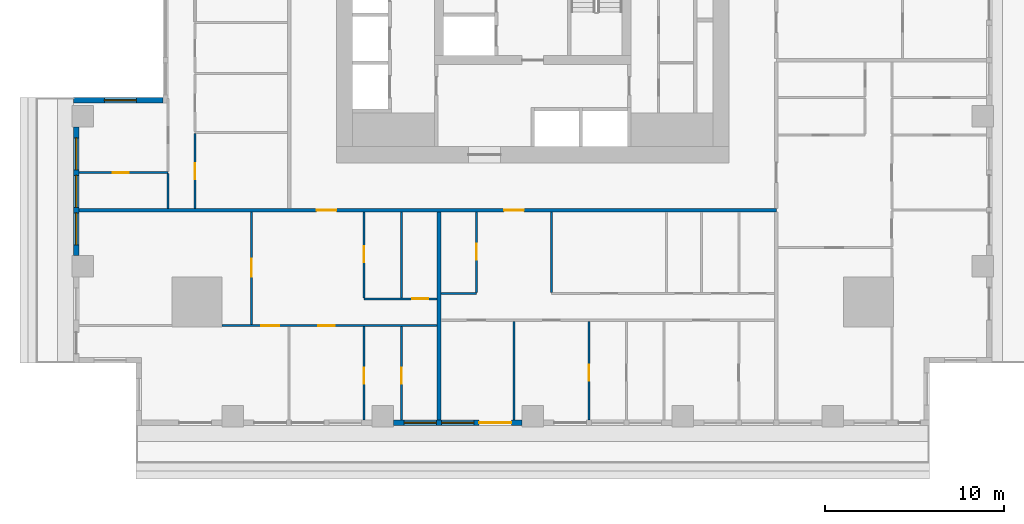
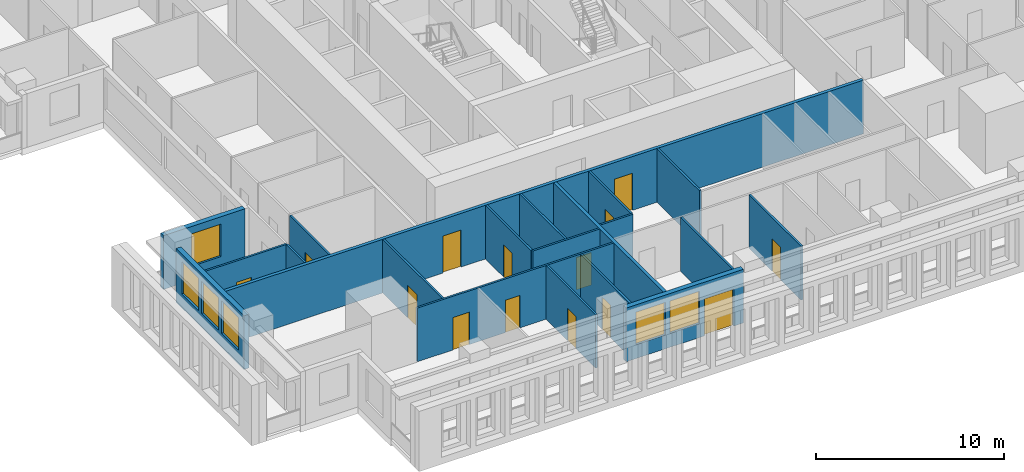
# One storey, part 2 of 15: 20 walls, 14 doors, 6 windows, 20 openings.
"""IFC4 building model written with IfcOpenShell, lengths in metres."""

from ifc_helpers import new_model, si_unit, direction, frame, frame_2d, origin, place, context, subcontext, project, spatial, rectangle, extrude, material, layer, layer_set, type_object, element, fill, save


model = new_model("IFC4")

# Units and contexts
model_context = context("Model", 3, precision=1e-05, world=origin(), true_north=direction((0.0, 1.0)))
body_context = subcontext(model_context, "Body", "Model", "MODEL_VIEW")
ifc_project = project(units=[si_unit("LENGTHUNIT", "METRE"), si_unit("AREAUNIT", "SQUARE_METRE"), si_unit("VOLUMEUNIT", "CUBIC_METRE"), si_unit("PLANEANGLEUNIT", "RADIAN"), si_unit("MASSUNIT", "GRAM", prefix="KILO")], contexts=[model_context])

# Site, building, storey
site_placement = place(None, origin())
site = spatial("IfcSite", under=ifc_project, at=site_placement, CompositionType="ELEMENT")
building_placement = place(site_placement, origin())
building = spatial("IfcBuilding", under=site, at=building_placement, Name="Khepri Terraces", CompositionType="ELEMENT")
storey_placement = place(building_placement, frame((0.0, 0.0, 98.699951171875)))
storey = spatial("IfcBuildingStorey", under=building, at=storey_placement, Name="L23", CompositionType="ELEMENT", Elevation=98.699951171875)

# Wall
ifc_material_1 = material(Name="Fire-rated gypsum plasterboard partition, mineral wool")
ifc_layer_1 = layer(ifc_material_1, 0.199951171875, Name="Fire-rated gypsum plasterboard partition, mineral wool")
ifc_layer_set_1 = layer_set([ifc_layer_1], Name="Fire-rated gypsum plasterboard partition, mineral wool")
wall_type_1 = type_object("IfcWallType", Name="WL-CORR-200", PredefinedType="PARTITIONING", material=ifc_layer_set_1)
wall_1_placement = place(storey_placement, frame((-5.25, -25.419921875, 0.0), z_axis=(0.0, 0.0, 1.0), x_axis=(0.0, 1.0, 0.0)))
element("IfcWall", 1, at=wall_1_placement, inside=storey, type_object=wall_type_1, Name="Partition P-004 L23", PredefinedType="PARTITIONING", context=body_context, shape_type="SweptSolid", body=[
    extrude(rectangle(XDim=11.669921875, YDim=0.199951171875, at=frame_2d((5.8349609375, 0.0))), origin(), (0.0, 0.0, 1.0), 3.47998046875),
])

# Wall, openings, doors
wall_2_placement = place(storey_placement, frame((-25.419921875, -13.64990234375, 0.0), z_axis=(0.0, 0.0, 1.0), x_axis=(1.0, 0.0, 0.0)))
wall_2 = element("IfcWall", 2, at=wall_2_placement, inside=storey, type_object=wall_type_1, Name="Partition P-029 L23", PredefinedType="PARTITIONING", context=body_context, shape_type="SweptSolid", body=[
    extrude(rectangle(XDim=39.06982421875, YDim=0.199951171875, at=frame_2d((19.534912109375, 0.0))), origin(), (0.0, 0.0, 1.0), 3.47998046875),
])
opening_1_placement = place(wall_2_placement, frame((13.320068359375, 0.0, 0.0)))
opening_1 = element("IfcOpeningElement", 3, at=opening_1_placement, cuts=wall_2, Name="Opening D1", PredefinedType="OPENING", context=body_context, shape_type="SweptSolid", body=[
    extrude(rectangle(XDim=1.10009765625, YDim=2.39990234375, at=frame_2d((0.550048828125, 1.199951171875))), frame((0.0, 0.10986328125, 0.0), z_axis=(0.0, -1.0, 0.0), x_axis=(1.0, 0.0, 0.0)), (0.0, 0.0, 1.0), 0.219970703125),
])
opening_2_placement = place(wall_2_placement, frame((23.820068359375, 0.0, 0.0)))
opening_2 = element("IfcOpeningElement", 4, at=opening_2_placement, cuts=wall_2, Name="Opening D1", PredefinedType="OPENING", context=body_context, shape_type="SweptSolid", body=[
    extrude(rectangle(XDim=1.10009765625, YDim=2.39990234375, at=frame_2d((0.550048828125, 1.199951171875))), frame((0.0, 0.10986328125, 0.0), z_axis=(0.0, -1.0, 0.0), x_axis=(1.0, 0.0, 0.0)), (0.0, 0.0, 1.0), 0.219970703125),
])
ifc_material_2 = material(Name="Solid-core timber door leaf, flat entrance door", Category="wood")
door_type_1 = type_object("IfcDoorType", Name="DR-ENT-1100", OperationType="NOTDEFINED", PredefinedType="DOOR", material=ifc_material_2)
door_1_placement = place(opening_1_placement, frame((1.10009765625, 0.0, 0.0), z_axis=(0.0, 0.0, 1.0), x_axis=(-1.0, 0.0, 0.0)))
door_1 = element("IfcDoor", 5, at=door_1_placement, inside=storey, type_object=door_type_1, Name="Flat A1 entrance door", OperationType="SINGLE_SWING_RIGHT", OverallHeight=2.39990234375, OverallWidth=1.10009765625, PredefinedType="DOOR", context=body_context, shape_type="SweptSolid", body=[
    extrude(rectangle(XDim=1.10009765625, YDim=2.39990234375, at=frame_2d((0.550048828125, 1.199951171875))), frame((0.0, 0.02490234375, 0.0), z_axis=(0.0, -1.0, 0.0), x_axis=(1.0, 0.0, 0.0)), (0.0, 0.0, 1.0), 0.050048828125),
])
fill(opening_1, door_1)
door_2_placement = place(opening_2_placement, frame((1.10009765625, 0.0, 0.0), z_axis=(0.0, 0.0, 1.0), x_axis=(-1.0, 0.0, 0.0)))
door_2 = element("IfcDoor", 6, at=door_2_placement, inside=storey, type_object=door_type_1, Name="Flat A2 entrance door", OperationType="SINGLE_SWING_LEFT", OverallHeight=2.39990234375, OverallWidth=1.10009765625, PredefinedType="DOOR", context=body_context, shape_type="SweptSolid", body=[
    extrude(rectangle(XDim=1.10009765625, YDim=2.39990234375, at=frame_2d((0.550048828125, 1.199951171875))), frame((0.0, 0.02490234375, 0.0), z_axis=(0.0, -1.0, 0.0), x_axis=(1.0, 0.0, 0.0)), (0.0, 0.0, 1.0), 0.050048828125),
])
fill(opening_2, door_2)

# Wall, opening, window
ifc_material_3 = material(Name="Precast concrete C50/60 warm stone", Category="masonry")
ifc_layer_2 = layer(ifc_material_3, 0.300048828125, Name="Precast concrete C50/60 warm stone", Category="masonry")
ifc_layer_set_2 = layer_set([ifc_layer_2], Name="Precast concrete C50/60 warm stone")
wall_type_2 = type_object("IfcWallType", Name="WL-EXT-PRECAST-300", PredefinedType="STANDARD", material=ifc_layer_set_2)
wall_3_placement = place(storey_placement, frame((-20.719970703125, -7.5, 0.0), z_axis=(0.0, 0.0, 1.0), x_axis=(-1.0, 0.0, 0.0)))
wall_3 = element("IfcWall", 7, at=wall_3_placement, inside=storey, type_object=wall_type_2, Name="External wall L23 N", PredefinedType="STANDARD", context=body_context, shape_type="SweptSolid", body=[
    extrude(rectangle(XDim=5.0, YDim=0.300048828125, at=frame_2d((2.5, 0.0))), origin(), (0.0, 0.0, 1.0), 3.47998046875),
])
opening_3_placement = place(wall_3_placement, frame((1.47998046875, 0.0, 0.89990234375)))
opening_3 = element("IfcOpeningElement", 8, at=opening_3_placement, cuts=wall_3, Name="Opening W1", PredefinedType="OPENING", context=body_context, shape_type="SweptSolid", body=[
    extrude(rectangle(XDim=1.800048828125, YDim=2.10009765625, at=frame_2d((0.89990234375, 1.050048828125))), frame((0.0, 0.16015625, 0.0), z_axis=(0.0, -1.0, 0.0), x_axis=(1.0, 0.0, 0.0)), (0.0, 0.0, 1.0), 0.320068359375),
])
ifc_material_4 = material(Name="Clear glass", Category="glass")
window_type = type_object("IfcWindowType", Name="WIN-RES-1800x2100", PartitioningType="SINGLE_PANEL", PredefinedType="WINDOW", material=ifc_material_4)
window_1_placement = place(opening_3_placement, origin())
window_1 = element("IfcWindow", 9, at=window_1_placement, inside=storey, type_object=window_type, Name="Window L23 N", OverallHeight=2.10009765625, OverallWidth=1.800048828125, PartitioningType="SINGLE_PANEL", PredefinedType="WINDOW", context=body_context, shape_type="SweptSolid", body=[
    extrude(rectangle(XDim=1.800048828125, YDim=2.10009765625, at=frame_2d((0.89990234375, 1.050048828125))), frame((0.0, 0.030029296875, 0.0), z_axis=(0.0, -1.0, 0.0), x_axis=(1.0, 0.0, 0.0)), (0.0, 0.0, 1.0), 0.06005859375),
])
fill(opening_3, window_1)

# Wall, openings, windows
wall_4_placement = place(storey_placement, frame((-25.570068359375, -9.0, 0.0), z_axis=(0.0, 0.0, 1.0), x_axis=(0.0, -1.0, 0.0)))
wall_4 = element("IfcWall", 10, at=wall_4_placement, inside=storey, type_object=wall_type_2, Name="External wall L23 W", PredefinedType="STANDARD", context=body_context, shape_type="SweptSolid", body=[
    extrude(rectangle(XDim=7.199951171875, YDim=0.300048828125, at=frame_2d((3.60009765625, 0.0))), origin(), (0.0, 0.0, 1.0), 3.47998046875),
])
opening_4_placement = place(wall_4_placement, frame((0.60009765625, 0.0, 0.89990234375)))
opening_4 = element("IfcOpeningElement", 11, at=opening_4_placement, cuts=wall_4, Name="Opening W1", PredefinedType="OPENING", context=body_context, shape_type="SweptSolid", body=[
    extrude(rectangle(XDim=1.800048828125, YDim=2.10009765625, at=frame_2d((0.89990234375, 1.050048828125))), frame((0.0, 0.16015625, 0.0), z_axis=(0.0, -1.0, 0.0), x_axis=(1.0, 0.0, 0.0)), (0.0, 0.0, 1.0), 0.320068359375),
])
opening_5_placement = place(wall_4_placement, frame((2.699951171875, 0.0, 0.89990234375)))
opening_5 = element("IfcOpeningElement", 12, at=opening_5_placement, cuts=wall_4, Name="Opening W1", PredefinedType="OPENING", context=body_context, shape_type="SweptSolid", body=[
    extrude(rectangle(XDim=1.800048828125, YDim=2.10009765625, at=frame_2d((0.89990234375, 1.050048828125))), frame((0.0, 0.16015625, 0.0), z_axis=(0.0, -1.0, 0.0), x_axis=(1.0, 0.0, 0.0)), (0.0, 0.0, 1.0), 0.320068359375),
])
opening_6_placement = place(wall_4_placement, frame((4.800048828125, 0.0, 0.89990234375)))
opening_6 = element("IfcOpeningElement", 13, at=opening_6_placement, cuts=wall_4, Name="Opening W1", PredefinedType="OPENING", context=body_context, shape_type="SweptSolid", body=[
    extrude(rectangle(XDim=1.800048828125, YDim=2.10009765625, at=frame_2d((0.89990234375, 1.050048828125))), frame((0.0, 0.16015625, 0.0), z_axis=(0.0, -1.0, 0.0), x_axis=(1.0, 0.0, 0.0)), (0.0, 0.0, 1.0), 0.320068359375),
])
window_2_placement = place(opening_4_placement, origin())
window_2 = element("IfcWindow", 14, at=window_2_placement, inside=storey, type_object=window_type, Name="Window L23 W", OverallHeight=2.10009765625, OverallWidth=1.800048828125, PartitioningType="SINGLE_PANEL", PredefinedType="WINDOW", context=body_context, shape_type="SweptSolid", body=[
    extrude(rectangle(XDim=1.800048828125, YDim=2.10009765625, at=frame_2d((0.89990234375, 1.050048828125))), frame((0.0, 0.030029296875, 0.0), z_axis=(0.0, -1.0, 0.0), x_axis=(1.0, 0.0, 0.0)), (0.0, 0.0, 1.0), 0.06005859375),
])
fill(opening_4, window_2)
window_3_placement = place(opening_5_placement, origin())
window_3 = element("IfcWindow", 15, at=window_3_placement, inside=storey, type_object=window_type, Name="Window L23 W", OverallHeight=2.10009765625, OverallWidth=1.800048828125, PartitioningType="SINGLE_PANEL", PredefinedType="WINDOW", context=body_context, shape_type="SweptSolid", body=[
    extrude(rectangle(XDim=1.800048828125, YDim=2.10009765625, at=frame_2d((0.89990234375, 1.050048828125))), frame((0.0, 0.030029296875, 0.0), z_axis=(0.0, -1.0, 0.0), x_axis=(1.0, 0.0, 0.0)), (0.0, 0.0, 1.0), 0.06005859375),
])
fill(opening_5, window_3)
window_4_placement = place(opening_6_placement, origin())
window_4 = element("IfcWindow", 16, at=window_4_placement, inside=storey, type_object=window_type, Name="Window L23 W", OverallHeight=2.10009765625, OverallWidth=1.800048828125, PartitioningType="SINGLE_PANEL", PredefinedType="WINDOW", context=body_context, shape_type="SweptSolid", body=[
    extrude(rectangle(XDim=1.800048828125, YDim=2.10009765625, at=frame_2d((0.89990234375, 1.050048828125))), frame((0.0, 0.030029296875, 0.0), z_axis=(0.0, -1.0, 0.0), x_axis=(1.0, 0.0, 0.0)), (0.0, 0.0, 1.0), 0.06005859375),
])
fill(opening_6, window_4)

# Wall, openings, door, windows
wall_5_placement = place(storey_placement, frame((-7.800048828125, -25.570068359375, 0.0), z_axis=(0.0, 0.0, 1.0), x_axis=(1.0, 0.0, 0.0)))
wall_5 = element("IfcWall", 17, at=wall_5_placement, inside=storey, type_object=wall_type_2, Name="External wall L23 S", PredefinedType="STANDARD", context=body_context, shape_type="SweptSolid", body=[
    extrude(rectangle(XDim=7.199951171875, YDim=0.300048828125, at=frame_2d((3.60009765625, 0.0))), origin(), (0.0, 0.0, 1.0), 3.47998046875),
])
opening_7_placement = place(wall_5_placement, frame((0.60009765625, 0.0, 0.89990234375)))
opening_7 = element("IfcOpeningElement", 18, at=opening_7_placement, cuts=wall_5, Name="Opening W1", PredefinedType="OPENING", context=body_context, shape_type="SweptSolid", body=[
    extrude(rectangle(XDim=1.800048828125, YDim=2.10009765625, at=frame_2d((0.89990234375, 1.050048828125))), frame((0.0, 0.16015625, 0.0), z_axis=(0.0, -1.0, 0.0), x_axis=(1.0, 0.0, 0.0)), (0.0, 0.0, 1.0), 0.320068359375),
])
opening_8_placement = place(wall_5_placement, frame((2.699951171875, 0.0, 0.89990234375)))
opening_8 = element("IfcOpeningElement", 19, at=opening_8_placement, cuts=wall_5, Name="Opening W1", PredefinedType="OPENING", context=body_context, shape_type="SweptSolid", body=[
    extrude(rectangle(XDim=1.800048828125, YDim=2.10009765625, at=frame_2d((0.89990234375, 1.050048828125))), frame((0.0, 0.16015625, 0.0), z_axis=(0.0, -1.0, 0.0), x_axis=(1.0, 0.0, 0.0)), (0.0, 0.0, 1.0), 0.320068359375),
])
opening_9_placement = place(wall_5_placement, frame((4.800048828125, 0.0, 0.0)))
opening_9 = element("IfcOpeningElement", 20, at=opening_9_placement, cuts=wall_5, Name="Opening ED-L23-20", PredefinedType="OPENING", context=body_context, shape_type="SweptSolid", body=[
    extrude(rectangle(XDim=1.800048828125, YDim=2.39990234375, at=frame_2d((0.89990234375, 1.199951171875))), frame((0.0, 0.16015625, 0.0), z_axis=(0.0, -1.0, 0.0), x_axis=(1.0, 0.0, 0.0)), (0.0, 0.0, 1.0), 0.320068359375),
])
ifc_material_5 = material(Name="Anodised aluminium bronze glazed door", Category="aluminium")
door_type_2 = type_object("IfcDoorType", Name="DR-BAL-SLIDE-1800x2400", OperationType="NOTDEFINED", PredefinedType="DOOR", material=ifc_material_5)
door_3_placement = place(opening_9_placement, origin())
door_3 = element("IfcDoor", 21, at=door_3_placement, inside=storey, type_object=door_type_2, Name="Balcony door L23 S", OperationType="SLIDING_TO_RIGHT", OverallHeight=2.39990234375, OverallWidth=1.800048828125, PredefinedType="DOOR", context=body_context, shape_type="SweptSolid", body=[
    extrude(rectangle(XDim=1.800048828125, YDim=2.39990234375, at=frame_2d((0.89990234375, 1.199951171875))), frame((0.0, 0.02490234375, 0.0), z_axis=(0.0, -1.0, 0.0), x_axis=(1.0, 0.0, 0.0)), (0.0, 0.0, 1.0), 0.050048828125),
])
fill(opening_9, door_3)
window_5_placement = place(opening_7_placement, origin())
window_5 = element("IfcWindow", 22, at=window_5_placement, inside=storey, type_object=window_type, Name="Window L23 S", OverallHeight=2.10009765625, OverallWidth=1.800048828125, PartitioningType="SINGLE_PANEL", PredefinedType="WINDOW", context=body_context, shape_type="SweptSolid", body=[
    extrude(rectangle(XDim=1.800048828125, YDim=2.10009765625, at=frame_2d((0.89990234375, 1.050048828125))), frame((0.0, 0.030029296875, 0.0), z_axis=(0.0, -1.0, 0.0), x_axis=(1.0, 0.0, 0.0)), (0.0, 0.0, 1.0), 0.06005859375),
])
fill(opening_7, window_5)
window_6_placement = place(opening_8_placement, origin())
window_6 = element("IfcWindow", 23, at=window_6_placement, inside=storey, type_object=window_type, Name="Window L23 S", OverallHeight=2.10009765625, OverallWidth=1.800048828125, PartitioningType="SINGLE_PANEL", PredefinedType="WINDOW", context=body_context, shape_type="SweptSolid", body=[
    extrude(rectangle(XDim=1.800048828125, YDim=2.10009765625, at=frame_2d((0.89990234375, 1.050048828125))), frame((0.0, 0.030029296875, 0.0), z_axis=(0.0, -1.0, 0.0), x_axis=(1.0, 0.0, 0.0)), (0.0, 0.0, 1.0), 0.06005859375),
])
fill(opening_8, window_6)

# Wall, opening, door
ifc_material_6 = material(Name="Gypsum plasterboard partition")
ifc_layer_3 = layer(ifc_material_6, 0.1201171875, Name="Gypsum plasterboard partition")
ifc_layer_set_3 = layer_set([ifc_layer_3], Name="Gypsum plasterboard partition")
wall_type_3 = type_object("IfcWallType", Name="WL-PART-120", PredefinedType="PARTITIONING", material=ifc_layer_set_3)
wall_6_placement = place(storey_placement, frame((-9.449951171875, -25.419921875, 0.0), z_axis=(0.0, 0.0, 1.0), x_axis=(0.0, 1.0, 0.0)))
wall_6 = element("IfcWall", 24, at=wall_6_placement, inside=storey, type_object=wall_type_3, Name="Partition P-002 L23", PredefinedType="PARTITIONING", context=body_context, shape_type="SweptSolid", body=[
    extrude(rectangle(XDim=5.239990234375, YDim=0.1201171875, at=frame_2d((2.6201171875, 0.0))), origin(), (0.0, 0.0, 1.0), 3.47998046875),
])
opening_10_placement = place(wall_6_placement, frame((2.050048828125, 0.0, 0.0)))
opening_10 = element("IfcOpeningElement", 25, at=opening_10_placement, cuts=wall_6, Name="Opening D3", PredefinedType="OPENING", context=body_context, shape_type="SweptSolid", body=[
    extrude(rectangle(XDim=0.89990234375, YDim=2.10009765625, at=frame_2d((0.449951171875, 1.050048828125))), frame((0.0, 0.070068359375, 0.0), z_axis=(0.0, -1.0, 0.0), x_axis=(1.0, 0.0, 0.0)), (0.0, 0.0, 1.0), 0.14013671875),
])
ifc_material_7 = material(Name="Timber door leaf", Category="wood")
door_type_3 = type_object("IfcDoorType", Name="DR-INT-900", OperationType="NOTDEFINED", PredefinedType="DOOR", material=ifc_material_7)
door_4_placement = place(opening_10_placement, frame((0.89990234375, 0.0, 0.0), z_axis=(0.0, 0.0, 1.0), x_axis=(-1.0, 0.0, 0.0)))
door_4 = element("IfcDoor", 26, at=door_4_placement, inside=storey, type_object=door_type_3, Name="Door Dressing Room", OperationType="SINGLE_SWING_RIGHT", OverallHeight=2.10009765625, OverallWidth=0.89990234375, PredefinedType="DOOR", context=body_context, shape_type="SweptSolid", body=[
    extrude(rectangle(XDim=0.89990234375, YDim=2.10009765625, at=frame_2d((0.449951171875, 1.050048828125))), frame((0.0, 0.02490234375, 0.0), z_axis=(0.0, -1.0, 0.0), x_axis=(1.0, 0.0, 0.0)), (0.0, 0.0, 1.0), 0.050048828125),
])
fill(opening_10, door_4)

wall_7_placement = place(storey_placement, frame((-7.35009765625, -25.419921875, 0.0), z_axis=(0.0, 0.0, 1.0), x_axis=(0.0, 1.0, 0.0)))
wall_7 = element("IfcWall", 27, at=wall_7_placement, inside=storey, type_object=wall_type_3, Name="Partition P-003 L23", PredefinedType="PARTITIONING", context=body_context, shape_type="SweptSolid", body=[
    extrude(rectangle(XDim=5.239990234375, YDim=0.1201171875, at=frame_2d((2.6201171875, 0.0))), origin(), (0.0, 0.0, 1.0), 3.47998046875),
])
opening_11_placement = place(wall_7_placement, frame((2.050048828125, 0.0, 0.0)))
opening_11 = element("IfcOpeningElement", 28, at=opening_11_placement, cuts=wall_7, Name="Opening D4", PredefinedType="OPENING", context=body_context, shape_type="SweptSolid", body=[
    extrude(rectangle(XDim=0.89990234375, YDim=2.10009765625, at=frame_2d((0.449951171875, 1.050048828125))), frame((0.0, 0.070068359375, 0.0), z_axis=(0.0, -1.0, 0.0), x_axis=(1.0, 0.0, 0.0)), (0.0, 0.0, 1.0), 0.14013671875),
])
ifc_material_8 = material(Name="Timber door leaf, moisture resistant", Category="wood")
door_type_4 = type_object("IfcDoorType", Name="DR-WET-900", OperationType="NOTDEFINED", PredefinedType="DOOR", material=ifc_material_8)
door_5_placement = place(opening_11_placement, frame((0.89990234375, 0.0, 0.0), z_axis=(0.0, 0.0, 1.0), x_axis=(-1.0, 0.0, 0.0)))
door_5 = element("IfcDoor", 29, at=door_5_placement, inside=storey, type_object=door_type_4, Name="Door Bathroom", OperationType="SINGLE_SWING_RIGHT", OverallHeight=2.10009765625, OverallWidth=0.89990234375, PredefinedType="DOOR", context=body_context, shape_type="SweptSolid", body=[
    extrude(rectangle(XDim=0.89990234375, YDim=2.10009765625, at=frame_2d((0.449951171875, 1.050048828125))), frame((0.0, 0.02490234375, 0.0), z_axis=(0.0, -1.0, 0.0), x_axis=(1.0, 0.0, 0.0)), (0.0, 0.0, 1.0), 0.050048828125),
])
fill(opening_11, door_5)

# Wall
wall_8_placement = place(storey_placement, frame((-1.050048828125, -25.419921875, 0.0), z_axis=(0.0, 0.0, 1.0), x_axis=(0.0, 1.0, 0.0)))
element("IfcWall", 30, at=wall_8_placement, inside=storey, type_object=wall_type_3, Name="Partition P-005 L23", PredefinedType="PARTITIONING", context=body_context, shape_type="SweptSolid", body=[
    extrude(rectangle(XDim=5.5400390625, YDim=0.1201171875, at=frame_2d((2.77001953125, 0.0))), origin(), (0.0, 0.0, 1.0), 3.47998046875),
])

# Wall, opening, door
wall_9_placement = place(storey_placement, frame((3.14990234375, -25.419921875, 0.0), z_axis=(0.0, 0.0, 1.0), x_axis=(0.0, 1.0, 0.0)))
wall_9 = element("IfcWall", 31, at=wall_9_placement, inside=storey, type_object=wall_type_3, Name="Partition P-006 L23", PredefinedType="PARTITIONING", context=body_context, shape_type="SweptSolid", body=[
    extrude(rectangle(XDim=5.5400390625, YDim=0.1201171875, at=frame_2d((2.77001953125, 0.0))), origin(), (0.0, 0.0, 1.0), 3.47998046875),
])
opening_12_placement = place(wall_9_placement, frame((2.199951171875, 0.0, 0.0)))
opening_12 = element("IfcOpeningElement", 32, at=opening_12_placement, cuts=wall_9, Name="Opening D3", PredefinedType="OPENING", context=body_context, shape_type="SweptSolid", body=[
    extrude(rectangle(XDim=0.89990234375, YDim=2.10009765625, at=frame_2d((0.449951171875, 1.050048828125))), frame((0.0, 0.070068359375, 0.0), z_axis=(0.0, -1.0, 0.0), x_axis=(1.0, 0.0, 0.0)), (0.0, 0.0, 1.0), 0.14013671875),
])
door_6_placement = place(opening_12_placement, frame((0.89990234375, 0.0, 0.0), z_axis=(0.0, 0.0, 1.0), x_axis=(-1.0, 0.0, 0.0)))
door_6 = element("IfcDoor", 33, at=door_6_placement, inside=storey, type_object=door_type_3, Name="Door Dressing Room", OperationType="SINGLE_SWING_RIGHT", OverallHeight=2.10009765625, OverallWidth=0.89990234375, PredefinedType="DOOR", context=body_context, shape_type="SweptSolid", body=[
    extrude(rectangle(XDim=0.89990234375, YDim=2.10009765625, at=frame_2d((0.449951171875, 1.050048828125))), frame((0.0, 0.02490234375, 0.0), z_axis=(0.0, -1.0, 0.0), x_axis=(1.0, 0.0, 0.0)), (0.0, 0.0, 1.0), 0.050048828125),
])
fill(opening_12, door_6)

# Wall, openings, doors
wall_10_placement = place(storey_placement, frame((-17.39990234375, -20.1201171875, 0.0), z_axis=(0.0, 0.0, 1.0), x_axis=(1.0, 0.0, 0.0)))
wall_10 = element("IfcWall", 34, at=wall_10_placement, inside=storey, type_object=wall_type_3, Name="Partition P-013 L23", PredefinedType="PARTITIONING", context=body_context, shape_type="SweptSolid", body=[
    extrude(rectangle(XDim=12.0498046875, YDim=0.1201171875, at=frame_2d((6.02490234375, 0.0))), origin(), (0.0, 0.0, 1.0), 3.47998046875),
])
opening_13_placement = place(wall_10_placement, frame((2.199951171875, 0.0, 0.0)))
opening_13 = element("IfcOpeningElement", 35, at=opening_13_placement, cuts=wall_10, Name="Opening D2", PredefinedType="OPENING", context=body_context, shape_type="SweptSolid", body=[
    extrude(rectangle(XDim=1.0, YDim=2.10009765625, at=frame_2d((0.5, 1.050048828125))), frame((0.0, 0.070068359375, 0.0), z_axis=(0.0, -1.0, 0.0), x_axis=(1.0, 0.0, 0.0)), (0.0, 0.0, 1.0), 0.14013671875),
])
opening_14_placement = place(wall_10_placement, frame((5.39990234375, 0.0, 0.0)))
opening_14 = element("IfcOpeningElement", 36, at=opening_14_placement, cuts=wall_10, Name="Opening D3", PredefinedType="OPENING", context=body_context, shape_type="SweptSolid", body=[
    extrude(rectangle(XDim=0.89990234375, YDim=2.10009765625, at=frame_2d((0.449951171875, 1.050048828125))), frame((0.0, 0.070068359375, 0.0), z_axis=(0.0, -1.0, 0.0), x_axis=(1.0, 0.0, 0.0)), (0.0, 0.0, 1.0), 0.14013671875),
])
ifc_material_9 = material(Name="Timber door leaf, living room door", Category="wood")
door_type_5 = type_object("IfcDoorType", Name="DR-INT-1000", OperationType="NOTDEFINED", PredefinedType="DOOR", material=ifc_material_9)
door_7_placement = place(opening_13_placement, frame((1.0, 0.0, 0.0), z_axis=(0.0, 0.0, 1.0), x_axis=(-1.0, 0.0, 0.0)))
door_7 = element("IfcDoor", 37, at=door_7_placement, inside=storey, type_object=door_type_5, Name="Door Living Room", OperationType="SINGLE_SWING_RIGHT", OverallHeight=2.10009765625, OverallWidth=1.0, PredefinedType="DOOR", context=body_context, shape_type="SweptSolid", body=[
    extrude(rectangle(XDim=1.0, YDim=2.10009765625, at=frame_2d((0.5, 1.050048828125))), frame((0.0, 0.02490234375, 0.0), z_axis=(0.0, -1.0, 0.0), x_axis=(1.0, 0.0, 0.0)), (0.0, 0.0, 1.0), 0.050048828125),
])
fill(opening_13, door_7)
door_8_placement = place(opening_14_placement, frame((0.89990234375, 0.0, 0.0), z_axis=(0.0, 0.0, 1.0), x_axis=(-1.0, 0.0, 0.0)))
door_8 = element("IfcDoor", 38, at=door_8_placement, inside=storey, type_object=door_type_3, Name="Door Master Bedroom", OperationType="SINGLE_SWING_RIGHT", OverallHeight=2.10009765625, OverallWidth=0.89990234375, PredefinedType="DOOR", context=body_context, shape_type="SweptSolid", body=[
    extrude(rectangle(XDim=0.89990234375, YDim=2.10009765625, at=frame_2d((0.449951171875, 1.050048828125))), frame((0.0, 0.02490234375, 0.0), z_axis=(0.0, -1.0, 0.0), x_axis=(1.0, 0.0, 0.0)), (0.0, 0.0, 1.0), 0.050048828125),
])
fill(opening_14, door_8)

# Wall, opening, door
wall_11_placement = place(storey_placement, frame((-15.75, -20.06005859375, 0.0), z_axis=(0.0, 0.0, 1.0), x_axis=(0.0, 1.0, 0.0)))
wall_11 = element("IfcWall", 39, at=wall_11_placement, inside=storey, type_object=wall_type_3, Name="Partition P-014 L23", PredefinedType="PARTITIONING", context=body_context, shape_type="SweptSolid", body=[
    extrude(rectangle(XDim=6.31005859375, YDim=0.1201171875, at=frame_2d((3.155029296875, 0.0))), origin(), (0.0, 0.0, 1.0), 3.47998046875),
])
opening_15_placement = place(wall_11_placement, frame((2.675048828125, 0.0, 0.0)))
opening_15 = element("IfcOpeningElement", 40, at=opening_15_placement, cuts=wall_11, Name="Opening D2", PredefinedType="OPENING", context=body_context, shape_type="SweptSolid", body=[
    extrude(rectangle(XDim=1.0, YDim=2.10009765625, at=frame_2d((0.5, 1.050048828125))), frame((0.0, 0.070068359375, 0.0), z_axis=(0.0, -1.0, 0.0), x_axis=(1.0, 0.0, 0.0)), (0.0, 0.0, 1.0), 0.14013671875),
])
door_9_placement = place(opening_15_placement, origin())
door_9 = element("IfcDoor", 41, at=door_9_placement, inside=storey, type_object=door_type_5, Name="Door Family Room", OperationType="SINGLE_SWING_RIGHT", OverallHeight=2.10009765625, OverallWidth=1.0, PredefinedType="DOOR", context=body_context, shape_type="SweptSolid", body=[
    extrude(rectangle(XDim=1.0, YDim=2.10009765625, at=frame_2d((0.5, 1.050048828125))), frame((0.0, 0.02490234375, 0.0), z_axis=(0.0, -1.0, 0.0), x_axis=(1.0, 0.0, 0.0)), (0.0, 0.0, 1.0), 0.050048828125),
])
fill(opening_15, door_9)

wall_12_placement = place(storey_placement, frame((-9.449951171875, -18.6201171875, 0.0), z_axis=(0.0, 0.0, 1.0), x_axis=(1.0, 0.0, 0.0)))
wall_12 = element("IfcWall", 42, at=wall_12_placement, inside=storey, type_object=wall_type_3, Name="Partition P-016 L23", PredefinedType="PARTITIONING", context=body_context, shape_type="SweptSolid", body=[
    extrude(rectangle(XDim=4.099853515625, YDim=0.1201171875, at=frame_2d((2.0498046875, 0.0))), origin(), (0.0, 0.0, 1.0), 3.47998046875),
])
opening_16_placement = place(wall_12_placement, frame((2.699951171875, 0.0, 0.0)))
opening_16 = element("IfcOpeningElement", 43, at=opening_16_placement, cuts=wall_12, Name="Opening D3", PredefinedType="OPENING", context=body_context, shape_type="SweptSolid", body=[
    extrude(rectangle(XDim=0.89990234375, YDim=2.10009765625, at=frame_2d((0.449951171875, 1.050048828125))), frame((0.0, 0.070068359375, 0.0), z_axis=(0.0, -1.0, 0.0), x_axis=(1.0, 0.0, 0.0)), (0.0, 0.0, 1.0), 0.14013671875),
])
door_10_placement = place(opening_16_placement, origin())
door_10 = element("IfcDoor", 44, at=door_10_placement, inside=storey, type_object=door_type_3, Name="Door Kitchen", OperationType="SINGLE_SWING_RIGHT", OverallHeight=2.10009765625, OverallWidth=0.89990234375, PredefinedType="DOOR", context=body_context, shape_type="SweptSolid", body=[
    extrude(rectangle(XDim=0.89990234375, YDim=2.10009765625, at=frame_2d((0.449951171875, 1.050048828125))), frame((0.0, 0.02490234375, 0.0), z_axis=(0.0, -1.0, 0.0), x_axis=(1.0, 0.0, 0.0)), (0.0, 0.0, 1.0), 0.050048828125),
])
fill(opening_16, door_10)

wall_13_placement = place(storey_placement, frame((-9.449951171875, -18.56005859375, 0.0), z_axis=(0.0, 0.0, 1.0), x_axis=(0.0, 1.0, 0.0)))
wall_13 = element("IfcWall", 45, at=wall_13_placement, inside=storey, type_object=wall_type_3, Name="Partition P-017 L23", PredefinedType="PARTITIONING", context=body_context, shape_type="SweptSolid", body=[
    extrude(rectangle(XDim=4.81005859375, YDim=0.1201171875, at=frame_2d((2.405029296875, 0.0))), origin(), (0.0, 0.0, 1.0), 3.47998046875),
])
opening_17_placement = place(wall_13_placement, frame((1.97509765625, 0.0, 0.0)))
opening_17 = element("IfcOpeningElement", 46, at=opening_17_placement, cuts=wall_13, Name="Opening D4", PredefinedType="OPENING", context=body_context, shape_type="SweptSolid", body=[
    extrude(rectangle(XDim=0.89990234375, YDim=2.10009765625, at=frame_2d((0.449951171875, 1.050048828125))), frame((0.0, 0.070068359375, 0.0), z_axis=(0.0, -1.0, 0.0), x_axis=(1.0, 0.0, 0.0)), (0.0, 0.0, 1.0), 0.14013671875),
])
door_11_placement = place(opening_17_placement, frame((0.89990234375, 0.0, 0.0), z_axis=(0.0, 0.0, 1.0), x_axis=(-1.0, 0.0, 0.0)))
door_11 = element("IfcDoor", 47, at=door_11_placement, inside=storey, type_object=door_type_4, Name="Door Guest Bathroom", OperationType="SINGLE_SWING_LEFT", OverallHeight=2.10009765625, OverallWidth=0.89990234375, PredefinedType="DOOR", context=body_context, shape_type="SweptSolid", body=[
    extrude(rectangle(XDim=0.89990234375, YDim=2.10009765625, at=frame_2d((0.449951171875, 1.050048828125))), frame((0.0, 0.02490234375, 0.0), z_axis=(0.0, -1.0, 0.0), x_axis=(1.0, 0.0, 0.0)), (0.0, 0.0, 1.0), 0.050048828125),
])
fill(opening_17, door_11)

# Walls
wall_14_placement = place(storey_placement, frame((-7.35009765625, -18.56005859375, 0.0), z_axis=(0.0, 0.0, 1.0), x_axis=(0.0, 1.0, 0.0)))
element("IfcWall", 48, at=wall_14_placement, inside=storey, type_object=wall_type_3, Name="Partition P-018 L23", PredefinedType="PARTITIONING", context=body_context, shape_type="SweptSolid", body=[
    extrude(rectangle(XDim=4.81005859375, YDim=0.1201171875, at=frame_2d((2.405029296875, 0.0))), origin(), (0.0, 0.0, 1.0), 3.47998046875),
])
wall_15_placement = place(storey_placement, frame((-5.14990234375, -18.320068359375, 0.0), z_axis=(0.0, 0.0, 1.0), x_axis=(1.0, 0.0, 0.0)))
element("IfcWall", 49, at=wall_15_placement, inside=storey, type_object=wall_type_3, Name="Partition P-019 L23", PredefinedType="PARTITIONING", context=body_context, shape_type="SweptSolid", body=[
    extrude(rectangle(XDim=2.0, YDim=0.1201171875, at=frame_2d((1.0, 0.0))), origin(), (0.0, 0.0, 1.0), 3.47998046875),
])

# Wall, opening, door
wall_16_placement = place(storey_placement, frame((-3.14990234375, -18.260009765625, 0.0), z_axis=(0.0, 0.0, 1.0), x_axis=(0.0, 1.0, 0.0)))
wall_16 = element("IfcWall", 50, at=wall_16_placement, inside=storey, type_object=wall_type_3, Name="Partition P-021 L23", PredefinedType="PARTITIONING", context=body_context, shape_type="SweptSolid", body=[
    extrude(rectangle(XDim=4.510009765625, YDim=0.1201171875, at=frame_2d((2.2548828125, 0.0))), origin(), (0.0, 0.0, 1.0), 3.47998046875),
])
opening_18_placement = place(wall_16_placement, frame((1.824951171875, 0.0, 0.0)))
opening_18 = element("IfcOpeningElement", 51, at=opening_18_placement, cuts=wall_16, Name="Opening D3", PredefinedType="OPENING", context=body_context, shape_type="SweptSolid", body=[
    extrude(rectangle(XDim=0.89990234375, YDim=2.10009765625, at=frame_2d((0.449951171875, 1.050048828125))), frame((0.0, 0.070068359375, 0.0), z_axis=(0.0, -1.0, 0.0), x_axis=(1.0, 0.0, 0.0)), (0.0, 0.0, 1.0), 0.14013671875),
])
door_12_placement = place(opening_18_placement, origin())
door_12 = element("IfcDoor", 52, at=door_12_placement, inside=storey, type_object=door_type_3, Name="Door Utility Room", OperationType="SINGLE_SWING_RIGHT", OverallHeight=2.10009765625, OverallWidth=0.89990234375, PredefinedType="DOOR", context=body_context, shape_type="SweptSolid", body=[
    extrude(rectangle(XDim=0.89990234375, YDim=2.10009765625, at=frame_2d((0.449951171875, 1.050048828125))), frame((0.0, 0.02490234375, 0.0), z_axis=(0.0, -1.0, 0.0), x_axis=(1.0, 0.0, 0.0)), (0.0, 0.0, 1.0), 0.050048828125),
])
fill(opening_18, door_12)

# Walls
wall_17_placement = place(storey_placement, frame((1.050048828125, -18.260009765625, 0.0), z_axis=(0.0, 0.0, 1.0), x_axis=(0.0, 1.0, 0.0)))
element("IfcWall", 53, at=wall_17_placement, inside=storey, type_object=wall_type_3, Name="Partition P-022 L23", PredefinedType="PARTITIONING", context=body_context, shape_type="SweptSolid", body=[
    extrude(rectangle(XDim=4.510009765625, YDim=0.1201171875, at=frame_2d((2.2548828125, 0.0))), origin(), (0.0, 0.0, 1.0), 3.47998046875),
])
wall_18_placement = place(storey_placement, frame((-20.419921875, -13.550048828125, 0.0), z_axis=(0.0, 0.0, 1.0), x_axis=(0.0, 1.0, 0.0)))
element("IfcWall", 54, at=wall_18_placement, inside=storey, type_object=wall_type_3, Name="Partition P-032 L23", PredefinedType="PARTITIONING", context=body_context, shape_type="SweptSolid", body=[
    extrude(rectangle(XDim=1.93994140625, YDim=0.1201171875, at=frame_2d((0.969970703125, 0.0))), origin(), (0.0, 0.0, 1.0), 3.47998046875),
])

# Wall, opening, door
wall_19_placement = place(storey_placement, frame((-18.919921875, -13.550048828125, 0.0), z_axis=(0.0, 0.0, 1.0), x_axis=(0.0, 1.0, 0.0)))
wall_19 = element("IfcWall", 55, at=wall_19_placement, inside=storey, type_object=wall_type_3, Name="Partition P-033 L23", PredefinedType="PARTITIONING", context=body_context, shape_type="SweptSolid", body=[
    extrude(rectangle(XDim=4.18994140625, YDim=0.1201171875, at=frame_2d((2.094970703125, 0.0))), origin(), (0.0, 0.0, 1.0), 3.47998046875),
])
opening_19_placement = place(wall_19_placement, frame((1.625, 0.0, 0.0)))
opening_19 = element("IfcOpeningElement", 56, at=opening_19_placement, cuts=wall_19, Name="Opening D3", PredefinedType="OPENING", context=body_context, shape_type="SweptSolid", body=[
    extrude(rectangle(XDim=0.89990234375, YDim=2.10009765625, at=frame_2d((0.449951171875, 1.050048828125))), frame((0.0, 0.070068359375, 0.0), z_axis=(0.0, -1.0, 0.0), x_axis=(1.0, 0.0, 0.0)), (0.0, 0.0, 1.0), 0.14013671875),
])
door_13_placement = place(opening_19_placement, frame((0.89990234375, 0.0, 0.0), z_axis=(0.0, 0.0, 1.0), x_axis=(-1.0, 0.0, 0.0)))
door_13 = element("IfcDoor", 57, at=door_13_placement, inside=storey, type_object=door_type_3, Name="Door Library", OperationType="SINGLE_SWING_RIGHT", OverallHeight=2.10009765625, OverallWidth=0.89990234375, PredefinedType="DOOR", context=body_context, shape_type="SweptSolid", body=[
    extrude(rectangle(XDim=0.89990234375, YDim=2.10009765625, at=frame_2d((0.449951171875, 1.050048828125))), frame((0.0, 0.02490234375, 0.0), z_axis=(0.0, -1.0, 0.0), x_axis=(1.0, 0.0, 0.0)), (0.0, 0.0, 1.0), 0.050048828125),
])
fill(opening_19, door_13)

wall_20_placement = place(storey_placement, frame((-25.419921875, -11.550048828125, 0.0), z_axis=(0.0, 0.0, 1.0), x_axis=(1.0, 0.0, 0.0)))
wall_20 = element("IfcWall", 58, at=wall_20_placement, inside=storey, type_object=wall_type_3, Name="Partition P-036 L23", PredefinedType="PARTITIONING", context=body_context, shape_type="SweptSolid", body=[
    extrude(rectangle(XDim=5.0, YDim=0.1201171875, at=frame_2d((2.5, 0.0))), origin(), (0.0, 0.0, 1.0), 3.47998046875),
])
opening_20_placement = place(wall_20_placement, frame((1.89990234375, 0.0, 0.0)))
opening_20 = element("IfcOpeningElement", 59, at=opening_20_placement, cuts=wall_20, Name="Opening D4", PredefinedType="OPENING", context=body_context, shape_type="SweptSolid", body=[
    extrude(rectangle(XDim=0.89990234375, YDim=2.10009765625, at=frame_2d((0.449951171875, 1.050048828125))), frame((0.0, 0.070068359375, 0.0), z_axis=(0.0, -1.0, 0.0), x_axis=(1.0, 0.0, 0.0)), (0.0, 0.0, 1.0), 0.14013671875),
])
door_14_placement = place(opening_20_placement, frame((0.89990234375, 0.0, 0.0), z_axis=(0.0, 0.0, 1.0), x_axis=(-1.0, 0.0, 0.0)))
door_14 = element("IfcDoor", 60, at=door_14_placement, inside=storey, type_object=door_type_4, Name="Door Bathroom", OperationType="SINGLE_SWING_RIGHT", OverallHeight=2.10009765625, OverallWidth=0.89990234375, PredefinedType="DOOR", context=body_context, shape_type="SweptSolid", body=[
    extrude(rectangle(XDim=0.89990234375, YDim=2.10009765625, at=frame_2d((0.449951171875, 1.050048828125))), frame((0.0, 0.02490234375, 0.0), z_axis=(0.0, -1.0, 0.0), x_axis=(1.0, 0.0, 0.0)), (0.0, 0.0, 1.0), 0.050048828125),
])
fill(opening_20, door_14)

save(model, "model.ifc")
